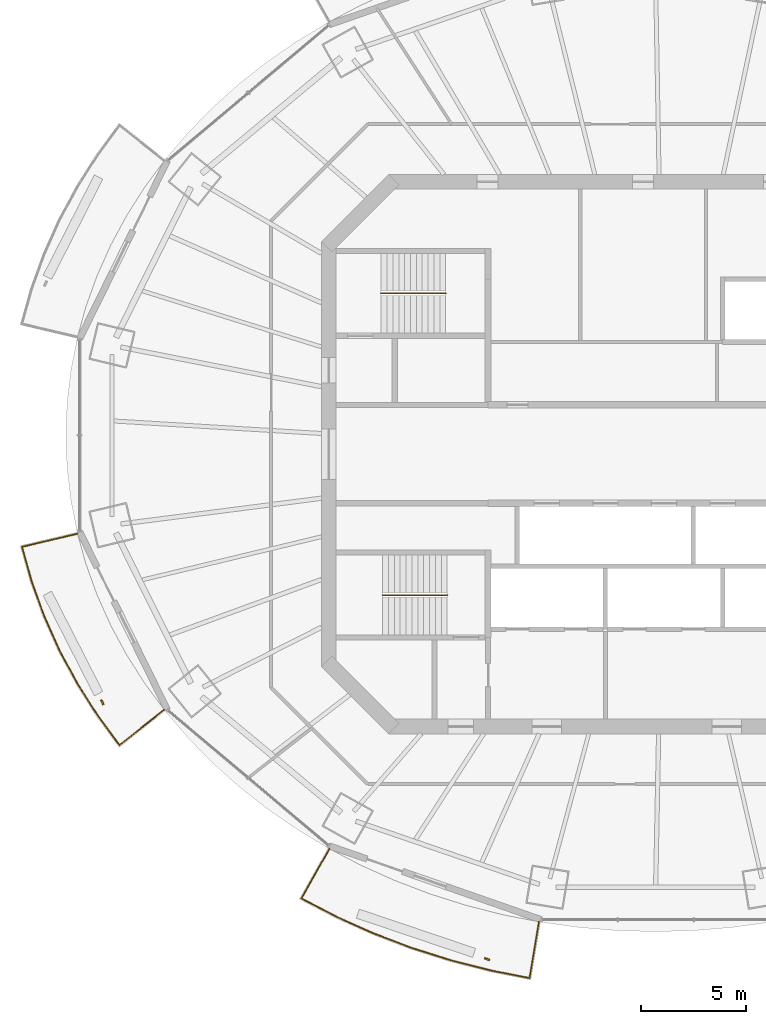
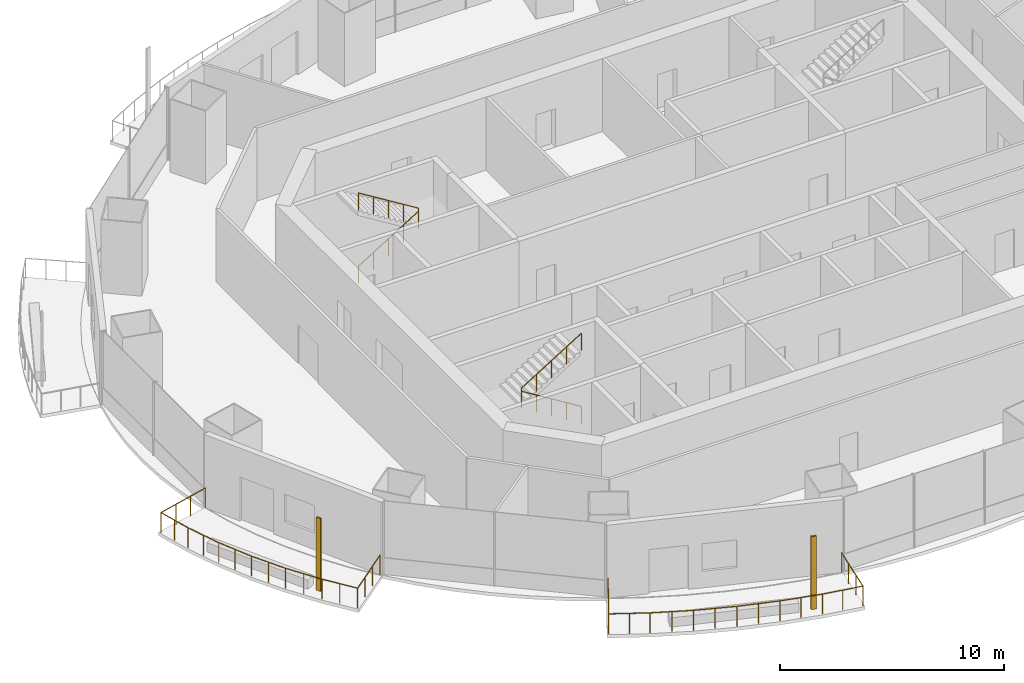
# One storey, part 12 of 16: 4 railings, 2 shading devices.
"""IFC4 building model written with IfcOpenShell, lengths in metres."""

import ifcopenshell
import ifcopenshell.guid

model = None  # the IFC model being written
_history = None  # IfcOwnerHistory: only IFC2X3 demands one
_inside = {}  # id of a spatial element -> (the spatial element, [elements in it])
_under = {}  # id of a project, library or spatial element -> (it, [spatial elements below it])
_declared = {}  # id of a project -> (the project, [libraries it declares])
_typed = {}  # id of a type object -> (the type object, [elements of that type])
_made_of = {}  # id of a material, layer set ... -> (it, [elements and type objects made of it])


def new_model(schema):
    """Start an empty IFC model of exactly this schema.

    Asked for "IFC4X3", IfcOpenShell would pick the latest addendum, in which some entities
    have other attributes; the version numbers below select the first issue.
    IFC2X3 requires an IfcOwnerHistory on every rooted entity: one is made here for all.
    """
    global model, _history
    if schema == "IFC4X3":
        model = ifcopenshell.file(schema_version=(4, 3, 0, 0))
    else:
        model = ifcopenshell.file(schema=schema)
    _inside.clear()
    _under.clear()
    _declared.clear()
    _typed.clear()
    _made_of.clear()
    _history = None
    if model.schema == "IFC2X3":
        org = make("IfcOrganization", Name="unknown")
        user = make(
            "IfcPersonAndOrganization",
            ThePerson=make("IfcPerson", FamilyName="unknown"),
            TheOrganization=org,
        )
        app = make(
            "IfcApplication",
            ApplicationDeveloper=org,
            Version="unknown",
            ApplicationFullName="unknown",
            ApplicationIdentifier="unknown",
        )
        _history = make(
            "IfcOwnerHistory",
            OwningUser=user,
            OwningApplication=app,
            ChangeAction="ADDED",
            CreationDate=0,
        )
    return model


def make(cls, **values):
    """One entity of the class cls with the attributes given. An attribute that is None is left unset."""
    return model.create_entity(
        cls, **{name: value for name, value in values.items() if value is not None}
    )


def rooted(cls, **values):
    """An entity with a GlobalId (a new one), such as an element, a storey or a relation."""
    return make(cls, GlobalId=ifcopenshell.guid.new(), OwnerHistory=_history, **values)


def si_unit(unit_type, name, prefix=None):
    """IfcSIUnit, for example si_unit("LENGTHUNIT", "METRE", prefix="MILLI")."""
    return make("IfcSIUnit", UnitType=unit_type, Prefix=prefix, Name=name)


def assignment(units):
    """IfcUnitAssignment: the units of a project."""
    return None if units is None else make("IfcUnitAssignment", Units=units)


def point(xyz):
    """IfcCartesianPoint."""
    return None if xyz is None else make("IfcCartesianPoint", Coordinates=xyz)


def direction(xyz):
    """IfcDirection."""
    return None if xyz is None else make("IfcDirection", DirectionRatios=xyz)


def frame(location, z_axis=None, x_axis=None):
    """IfcAxis2Placement3D, a coordinate frame: its origin and axes. An axis left out is left unset."""
    return make(
        "IfcAxis2Placement3D",
        Location=point(location),
        Axis=direction(z_axis),
        RefDirection=direction(x_axis),
    )


def frame_2d(location, x_axis=None):
    """IfcAxis2Placement2D, a coordinate frame in the plane: its origin and x axis."""
    return make(
        "IfcAxis2Placement2D", Location=point(location), RefDirection=direction(x_axis)
    )


def origin():
    """The frame at (0, 0, 0) with its axes left unset."""
    return frame((0.0, 0.0, 0.0))


def origin_2d():
    """The frame at (0, 0) in the plane with its x axis left unset."""
    return frame_2d((0.0, 0.0))


def place(relative_to, where):
    """IfcLocalPlacement: puts the frame where relative to a parent placement (None: the world)."""
    return make(
        "IfcLocalPlacement", PlacementRelTo=relative_to, RelativePlacement=where
    )


def context(
    kind, dimensions, precision=None, world=None, true_north=None, identifier=None
):
    """IfcGeometricRepresentationContext, for example the 3D "Model" context."""
    return make(
        "IfcGeometricRepresentationContext",
        ContextIdentifier=identifier,
        ContextType=kind,
        CoordinateSpaceDimension=dimensions,
        Precision=precision,
        WorldCoordinateSystem=world,
        TrueNorth=true_north,
    )


def subcontext(parent, identifier, kind, view, scale=None):
    """IfcGeometricRepresentationSubContext, for example "Body" below "Model"."""
    return make(
        "IfcGeometricRepresentationSubContext",
        ContextIdentifier=identifier,
        ContextType=kind,
        ParentContext=parent,
        TargetScale=scale,
        TargetView=view,
    )


def project(units=None, contexts=None):
    """IfcProject with its units and contexts."""
    return rooted(
        "IfcProject",
        Name="project",
        RepresentationContexts=contexts,
        UnitsInContext=assignment(units),
    )


def spatial(cls, under=None, at=None, **own):
    """A site, building, storey or space (cls), placed at a placement, below another one or the project."""
    s = rooted(cls, ObjectPlacement=at, **own)
    if under is not None:
        _under.setdefault(under.id(), (under, []))[1].append(s)
    return s


def profile(cls, at=None, kind="AREA", **sizes):
    """A parametric profile (cls). Its sizes go by their IFC names, for example OverallWidth=200.0."""
    return make(cls, ProfileType=kind, Position=at, **sizes)


def rectangle(**sizes):
    """IfcRectangleProfileDef."""
    return profile("IfcRectangleProfileDef", **sizes)


def circle(**sizes):
    """IfcCircleProfileDef."""
    return profile("IfcCircleProfileDef", **sizes)


def extrude(swept, where, along, depth):
    """IfcExtrudedAreaSolid: the profile swept, set in the frame where, extruded along a direction by depth."""
    return make(
        "IfcExtrudedAreaSolid",
        SweptArea=swept,
        Position=where,
        ExtrudedDirection=direction(along),
        Depth=depth,
    )


def shape(context_of_items, identifier, shape_type, items):
    """IfcShapeRepresentation: the items that make up one representation, for example the "Body"."""
    return make(
        "IfcShapeRepresentation",
        ContextOfItems=context_of_items,
        RepresentationIdentifier=identifier,
        RepresentationType=shape_type,
        Items=items,
    )


def material(Name=None, Category=None):
    """IfcMaterial."""
    return make("IfcMaterial", Name=Name, Category=Category)


def material_profile(
    of_material, cross_section, Name=None, Category=None, Priority=None
):
    """IfcMaterialProfile: a cross section and its material."""
    return make(
        "IfcMaterialProfile",
        Name=Name,
        Material=of_material,
        Profile=cross_section,
        Priority=Priority,
        Category=Category,
    )


def profile_set(profiles, Name=None, composite=None):
    """IfcMaterialProfileSet."""
    return make(
        "IfcMaterialProfileSet",
        Name=Name,
        MaterialProfiles=profiles,
        CompositeProfile=composite,
    )


def made_of(thing, what):
    """Note that an element or type object is made of a material, layer set ...; save() writes the relation."""
    if what is not None:
        _made_of.setdefault(what.id(), (what, []))[1].append(thing)
    return thing


def type_object(cls, material=None, **own):
    """A type object (cls), such as IfcWallType, which elements share."""
    return made_of(rooted(cls, **own), material)


def element(
    cls,
    number,
    at=None,
    inside=None,
    cuts=None,
    type_object=None,
    material=None,
    context=None,
    identifier="Body",
    shape_type=None,
    held_by="IfcProductDefinitionShape",
    body=None,
    shapes=None,
    **own,
):
    """One element of the class cls, such as IfcWall. Its Tag is "e" and its number.

    at: its placement. inside: the storey or other place that contains it. cuts: it is an
    opening in that element (IfcRelVoidsElement). A single representation is given by context,
    identifier, shape_type and body (its items); several are given by shapes. held_by: the class
    of the entity that holds the representations. save() writes the other relations.
    """
    e = rooted(cls, Tag="e%d" % number, ObjectPlacement=at, **own)
    if body is not None:
        shapes = [shape(context, identifier, shape_type, body)]
    if shapes is not None:
        e.Representation = make(held_by, Representations=shapes)
    if inside is not None:
        _inside.setdefault(inside.id(), (inside, []))[1].append(e)
    if cuts is not None:
        rooted(
            "IfcRelVoidsElement", RelatingBuildingElement=cuts, RelatedOpeningElement=e
        )
    if type_object is not None:
        _typed.setdefault(type_object.id(), (type_object, []))[1].append(e)
    return made_of(e, material)


def aggregate(whole, parts):
    """IfcRelAggregates: a whole, such as a stair, and the parts it consists of."""
    return rooted("IfcRelAggregates", RelatingObject=whole, RelatedObjects=parts)


def save(model, path):
    """Write the relations noted so far, then the file.

    IfcRelAggregates (storeys below a building ...), IfcRelContainedInSpatialStructure (elements
    in a storey), IfcRelDefinesByType, IfcRelAssociatesMaterial and IfcRelDeclares: one each for
    every whole, place, type object, material and project.
    """
    for whole, parts in _under.values():
        aggregate(whole, parts)
    for where, things in _inside.values():
        rooted(
            "IfcRelContainedInSpatialStructure",
            RelatedElements=things,
            RelatingStructure=where,
        )
    for kind, things in _typed.values():
        rooted("IfcRelDefinesByType", RelatedObjects=things, RelatingType=kind)
    for what, things in _made_of.values():
        rooted("IfcRelAssociatesMaterial", RelatedObjects=things, RelatingMaterial=what)
    for by, libraries in _declared.values():
        rooted("IfcRelDeclares", RelatingContext=by, RelatedDefinitions=libraries)
    model.write(path)


model = new_model("IFC4")

# Units and contexts
model_context = context("Model", 3, precision=1e-05, world=origin(), true_north=direction((0.0, 1.0)))
body_context = subcontext(model_context, "Body", "Model", "MODEL_VIEW")
ifc_project = project(units=[si_unit("LENGTHUNIT", "METRE"), si_unit("AREAUNIT", "SQUARE_METRE"), si_unit("VOLUMEUNIT", "CUBIC_METRE"), si_unit("PLANEANGLEUNIT", "RADIAN"), si_unit("MASSUNIT", "GRAM", prefix="KILO")], contexts=[model_context])

# Site, building, storey
site_placement = place(None, origin())
site = spatial("IfcSite", under=ifc_project, at=site_placement, CompositionType="ELEMENT")
building_placement = place(site_placement, origin())
building = spatial("IfcBuilding", under=site, at=building_placement, Name="Marenthal Gate Tower", CompositionType="ELEMENT")
storey_placement = place(building_placement, frame((0.0, 0.0, 313.550048828125)))
storey = spatial("IfcBuildingStorey", under=building, at=storey_placement, Name="L70", CompositionType="ELEMENT", Elevation=313.550048828125)

# Railings
ifc_material_1 = material(Name="Stainless steel", Category="steel")
railing_type_1 = type_object("IfcRailingType", Name="Balcony guard 1100", PredefinedType="GUARDRAIL", material=ifc_material_1)
railing_1_placement = place(storey_placement, frame((-23.85888671875, -12.199951171875, 0.0)))
element("IfcRailing", 1, at=railing_1_placement, inside=storey, type_object=railing_type_1, Name="Balcony guard L70 bay 9", PredefinedType="GUARDRAIL", context=body_context, shape_type="SweptSolid", body=[
    extrude(circle(Radius=0.02392578125, at=origin_2d()), frame((0.0, 0.0, 1.076171875), z_axis=(-0.783369120747, -0.621382494221, -0.014717898477), x_axis=(0.621449806018, -0.783453979886, 0.0)), (0.0, 0.0, 1.0), 2.720458984375),
    extrude(circle(Radius=0.02392578125, at=origin_2d()), frame((-2.131103515625, -1.6904296875, 1.0361328125), z_axis=(-0.592865267426, 0.80530166688, 0.0), x_axis=(-0.80530166688, -0.592865267426, 0.0)), (0.0, 0.0, 1.0), 1.746826171875),
    extrude(circle(Radius=0.02392578125, at=origin_2d()), frame((-3.166748046875, -0.28369140625, 1.0361328125), z_axis=(-0.536204581752, 0.844088056134, 0.0), x_axis=(-0.844088056134, -0.536204581752, 0.0)), (0.0, 0.0, 1.0), 1.8134765625),
    extrude(circle(Radius=0.02392578125, at=origin_2d()), frame((-4.13916015625, 1.2470703125, 1.0361328125), z_axis=(-0.473954337588, 0.880549422736, 0.0), x_axis=(-0.880549422736, -0.473954337588, 0.0)), (0.0, 0.0, 1.0), 1.80126953125),
    extrude(circle(Radius=0.02392578125, at=origin_2d()), frame((-4.992919921875, 2.833251953125, 1.0361328125), z_axis=(-0.408237493427, 0.91287575768, 0.0), x_axis=(-0.91287575768, -0.408237493427, 0.0)), (0.0, 0.0, 1.0), 1.79052734375),
    extrude(circle(Radius=0.02392578125, at=origin_2d()), frame((-5.723876953125, 4.4677734375, 1.0361328125), z_axis=(-0.339078586837, 0.940758051759, 0.0), x_axis=(-0.940758051759, -0.339078586837, 0.0)), (0.0, 0.0, 1.0), 1.78125),
    extrude(circle(Radius=0.02392578125, at=origin_2d()), frame((-6.327880859375, 6.1435546875, 1.0361328125), z_axis=(-0.268699441424, 0.963224070598, 0.0), x_axis=(-0.963224070598, -0.268699441424, 0.0)), (0.0, 0.0, 1.0), 1.693603515625),
    extrude(circle(Radius=0.02392578125, at=origin_2d()), frame((-6.782958984375, 7.77490234375, 1.0361328125), z_axis=(0.973137241572, 0.229754803876, 0.014718667123), x_axis=(-0.229779694864, 0.97324266852, 0.0)), (0.0, 0.0, 1.0), 2.72021484375),
    extrude(circle(Radius=0.02099609375, at=origin_2d()), origin(), (0.0, 0.0, 1.0), 1.052001953125),
    extrude(circle(Radius=0.02099609375, at=origin_2d()), frame((-0.71044921875, -0.5634765625, -0.013427734375)), (0.0, 0.0, 1.0), 1.052001953125),
    extrude(circle(Radius=0.02099609375, at=origin_2d()), frame((-1.420654296875, -1.126953125, -0.026611328125)), (0.0, 0.0, 1.0), 1.052001953125),
    extrude(circle(Radius=0.02099609375, at=origin_2d()), frame((-2.131103515625, -1.6904296875, -0.0400390625)), (0.0, 0.0, 1.0), 1.052001953125),
    extrude(circle(Radius=0.02099609375, at=origin_2d()), frame((-2.64892578125, -0.987060546875, -0.0400390625)), (0.0, 0.0, 1.0), 1.052001953125),
    extrude(circle(Radius=0.02099609375, at=origin_2d()), frame((-3.166748046875, -0.28369140625, -0.0400390625)), (0.0, 0.0, 1.0), 1.052001953125),
    extrude(circle(Radius=0.02099609375, at=origin_2d()), frame((-3.65283203125, 0.481689453125, -0.0400390625)), (0.0, 0.0, 1.0), 1.052001953125),
    extrude(circle(Radius=0.02099609375, at=origin_2d()), frame((-4.13916015625, 1.2470703125, -0.0400390625)), (0.0, 0.0, 1.0), 1.052001953125),
    extrude(circle(Radius=0.02099609375, at=origin_2d()), frame((-4.56591796875, 2.0400390625, -0.0400390625)), (0.0, 0.0, 1.0), 1.052001953125),
    extrude(circle(Radius=0.02099609375, at=origin_2d()), frame((-4.992919921875, 2.833251953125, -0.0400390625)), (0.0, 0.0, 1.0), 1.052001953125),
    extrude(circle(Radius=0.02099609375, at=origin_2d()), frame((-5.3583984375, 3.650390625, -0.0400390625)), (0.0, 0.0, 1.0), 1.052001953125),
    extrude(circle(Radius=0.02099609375, at=origin_2d()), frame((-5.723876953125, 4.4677734375, -0.0400390625)), (0.0, 0.0, 1.0), 1.052001953125),
    extrude(circle(Radius=0.02099609375, at=origin_2d()), frame((-6.02587890625, 5.3056640625, -0.0400390625)), (0.0, 0.0, 1.0), 1.052001953125),
    extrude(circle(Radius=0.02099609375, at=origin_2d()), frame((-6.327880859375, 6.1435546875, -0.0400390625)), (0.0, 0.0, 1.0), 1.052001953125),
    extrude(circle(Radius=0.02099609375, at=origin_2d()), frame((-6.555419921875, 6.959228515625, -0.0400390625)), (0.0, 0.0, 1.0), 1.052001953125),
    extrude(circle(Radius=0.02099609375, at=origin_2d()), frame((-6.782958984375, 7.77490234375, -0.0400390625)), (0.0, 0.0, 1.0), 1.052001953125),
    extrude(circle(Radius=0.02099609375, at=origin_2d()), frame((-5.900634765625, 7.983154296875, -0.026611328125)), (0.0, 0.0, 1.0), 1.052001953125),
    extrude(circle(Radius=0.02099609375, at=origin_2d()), frame((-5.01806640625, 8.191650390625, -0.013427734375)), (0.0, 0.0, 1.0), 1.052001953125),
    extrude(circle(Radius=0.02099609375, at=origin_2d()), frame((-4.1357421875, 8.39990234375, 0.0)), (0.0, 0.0, 1.0), 1.052001953125),
])
railing_2_placement = place(storey_placement, frame((-5.971435546875, -22.323486328125, 0.0)))
element("IfcRailing", 2, at=railing_2_placement, inside=storey, type_object=railing_type_1, Name="Balcony guard L70 bay 11", PredefinedType="GUARDRAIL", context=body_context, shape_type="SweptSolid", body=[
    extrude(circle(Radius=0.02392578125, at=origin_2d()), frame((0.0, 0.0, 1.076171875), z_axis=(-0.165225230724, -0.986146026723, -0.014718597414), x_axis=(0.986252861995, -0.165243130591, 0.0)), (0.0, 0.0, 1.0), 2.72021484375),
    extrude(circle(Radius=0.02392578125, at=origin_2d()), frame((-0.449462890625, -2.6826171875, 1.0361328125), z_axis=(-0.981061826101, 0.193694846002, 0.0), x_axis=(-0.193694846002, -0.981061826101, 0.0)), (0.0, 0.0, 1.0), 1.900634765625),
    extrude(circle(Radius=0.02392578125, at=origin_2d()), frame((-2.314208984375, -2.314453125, 1.0361328125), z_axis=(-0.968929698625, 0.247336287518, 0.0), x_axis=(-0.247336287518, -0.968929698625, 0.0)), (0.0, 0.0, 1.0), 1.97314453125),
    extrude(circle(Radius=0.02392578125, at=origin_2d()), frame((-4.22607421875, -1.826416015625, 1.0361328125), z_axis=(-0.953336263061, 0.301910532331, 0.0), x_axis=(-0.301910532331, -0.953336263061, 0.0)), (0.0, 0.0, 1.0), 1.964111328125),
    extrude(circle(Radius=0.02392578125, at=origin_2d()), frame((-6.0986328125, -1.2333984375, 1.0361328125), z_axis=(-0.93433720277, 0.356390223659, 0.0), x_axis=(-0.356390223659, -0.93433720277, 0.0)), (0.0, 0.0, 1.0), 1.95361328125),
    extrude(circle(Radius=0.02392578125, at=origin_2d()), frame((-7.924072265625, -0.537109375, 1.0361328125), z_axis=(-0.911982656783, 0.4102287578, 0.0), x_axis=(-0.4102287578, -0.911982656783, 0.0)), (0.0, 0.0, 1.0), 1.94189453125),
    extrude(circle(Radius=0.02392578125, at=origin_2d()), frame((-9.695068359375, 0.259521484375, 1.0361328125), z_axis=(-0.88661074156, 0.462516370467, 0.0), x_axis=(-0.462516370467, -0.88661074156, 0.0)), (0.0, 0.0, 1.0), 1.84912109375),
    extrude(circle(Radius=0.02392578125, at=origin_2d()), frame((-11.33447265625, 1.11474609375, 1.0361328125), z_axis=(0.490459508418, 0.871339682934, 0.014718272531), x_axis=(-0.871434076359, 0.490512640571, 0.0)), (0.0, 0.0, 1.0), 2.720458984375),
    extrude(circle(Radius=0.02099609375, at=origin_2d()), origin(), (0.0, 0.0, 1.0), 1.052001953125),
    extrude(circle(Radius=0.02099609375, at=origin_2d()), frame((-0.14990234375, -0.894287109375, -0.013427734375)), (0.0, 0.0, 1.0), 1.052001953125),
    extrude(circle(Radius=0.02099609375, at=origin_2d()), frame((-0.299560546875, -1.788330078125, -0.026611328125)), (0.0, 0.0, 1.0), 1.052001953125),
    extrude(circle(Radius=0.02099609375, at=origin_2d()), frame((-0.449462890625, -2.6826171875, -0.0400390625)), (0.0, 0.0, 1.0), 1.052001953125),
    extrude(circle(Radius=0.02099609375, at=origin_2d()), frame((-1.3818359375, -2.49853515625, -0.0400390625)), (0.0, 0.0, 1.0), 1.052001953125),
    extrude(circle(Radius=0.02099609375, at=origin_2d()), frame((-2.314208984375, -2.314453125, -0.0400390625)), (0.0, 0.0, 1.0), 1.052001953125),
    extrude(circle(Radius=0.02099609375, at=origin_2d()), frame((-3.27001953125, -2.0703125, -0.0400390625)), (0.0, 0.0, 1.0), 1.052001953125),
    extrude(circle(Radius=0.02099609375, at=origin_2d()), frame((-4.22607421875, -1.826416015625, -0.0400390625)), (0.0, 0.0, 1.0), 1.052001953125),
    extrude(circle(Radius=0.02099609375, at=origin_2d()), frame((-5.162353515625, -1.52978515625, -0.0400390625)), (0.0, 0.0, 1.0), 1.052001953125),
    extrude(circle(Radius=0.02099609375, at=origin_2d()), frame((-6.0986328125, -1.2333984375, -0.0400390625)), (0.0, 0.0, 1.0), 1.052001953125),
    extrude(circle(Radius=0.02099609375, at=origin_2d()), frame((-7.01123046875, -0.88525390625, -0.0400390625)), (0.0, 0.0, 1.0), 1.052001953125),
    extrude(circle(Radius=0.02099609375, at=origin_2d()), frame((-7.924072265625, -0.537109375, -0.0400390625)), (0.0, 0.0, 1.0), 1.052001953125),
    extrude(circle(Radius=0.02099609375, at=origin_2d()), frame((-8.8095703125, -0.138671875, -0.0400390625)), (0.0, 0.0, 1.0), 1.052001953125),
    extrude(circle(Radius=0.02099609375, at=origin_2d()), frame((-9.695068359375, 0.259521484375, -0.0400390625)), (0.0, 0.0, 1.0), 1.052001953125),
    extrude(circle(Radius=0.02099609375, at=origin_2d()), frame((-10.5146484375, 0.68701171875, -0.0400390625)), (0.0, 0.0, 1.0), 1.052001953125),
    extrude(circle(Radius=0.02099609375, at=origin_2d()), frame((-11.33447265625, 1.11474609375, -0.0400390625)), (0.0, 0.0, 1.0), 1.052001953125),
    extrude(circle(Radius=0.02099609375, at=origin_2d()), frame((-10.8896484375, 1.90478515625, -0.026611328125)), (0.0, 0.0, 1.0), 1.052001953125),
    extrude(circle(Radius=0.02099609375, at=origin_2d()), frame((-10.445068359375, 2.695068359375, -0.013427734375)), (0.0, 0.0, 1.0), 1.052001953125),
    extrude(circle(Radius=0.02099609375, at=origin_2d()), frame((-10.000244140625, 3.485107421875, 0.0)), (0.0, 0.0, 1.0), 1.052001953125),
])
ifc_material_2 = material(Name="Stainless steel", Category="steel")
railing_type_2 = type_object("IfcRailingType", Name="Stair handrail", PredefinedType="HANDRAIL", material=ifc_material_2)
railing_3_placement = place(storey_placement, frame((-13.5, 7.675048828125, 0.1728515625)))
element("IfcRailing", 3, at=railing_3_placement, inside=storey, type_object=railing_type_2, Name="Handrail ST1", PredefinedType="HANDRAIL", context=body_context, shape_type="SweptSolid", body=[
    extrude(circle(Radius=0.0224609375, at=origin_2d()), frame((0.0, 0.0, 0.927490234375), z_axis=(0.850835241893, 0.0, 0.525432575268), x_axis=(0.0, 1.0, 0.0)), (0.0, 0.0, 1.0), 3.6201171875),
    extrude(circle(Radius=0.0224609375, at=origin_2d()), frame((3.080078125, 0.0, 2.82958984375), z_axis=(0.0, 0.0, 1.0), x_axis=(1.0, 0.0, 0.0)), (0.0, 0.0, 1.0), 0.1728515625),
    extrude(circle(Radius=0.0224609375, at=origin_2d()), frame((3.080078125, 0.0, 3.00244140625), z_axis=(-0.850835241893, 0.0, 0.525432575268), x_axis=(0.0, -1.0, 0.0)), (0.0, 0.0, 1.0), 3.6201171875),
    extrude(circle(Radius=0.02001953125, at=origin_2d()), origin(), (0.0, 0.0, 1.0), 0.905029296875),
    extrude(circle(Radius=0.02001953125, at=origin_2d()), frame((0.77001953125, 0.0, 0.4755859375)), (0.0, 0.0, 1.0), 0.905029296875),
    extrude(circle(Radius=0.02001953125, at=origin_2d()), frame((1.5400390625, 0.0, 0.951171875)), (0.0, 0.0, 1.0), 0.905029296875),
    extrude(circle(Radius=0.02001953125, at=origin_2d()), frame((2.31005859375, 0.0, 1.426513671875)), (0.0, 0.0, 1.0), 0.905029296875),
    extrude(circle(Radius=0.02001953125, at=origin_2d()), frame((3.080078125, 0.0, 1.902099609375)), (0.0, 0.0, 1.0), 0.905029296875),
    extrude(circle(Radius=0.02001953125, at=origin_2d()), frame((3.080078125, 0.0, 2.074951171875)), (0.0, 0.0, 1.0), 0.905029296875),
    extrude(circle(Radius=0.02001953125, at=origin_2d()), frame((2.31005859375, 0.0, 2.550537109375)), (0.0, 0.0, 1.0), 0.905029296875),
    extrude(circle(Radius=0.02001953125, at=origin_2d()), frame((1.5400390625, 0.0, 3.02587890625)), (0.0, 0.0, 1.0), 0.905029296875),
    extrude(circle(Radius=0.02001953125, at=origin_2d()), frame((0.77001953125, 0.0, 3.50146484375)), (0.0, 0.0, 1.0), 0.905029296875),
    extrude(circle(Radius=0.02001953125, at=origin_2d()), frame((0.0, 0.0, 3.97705078125)), (0.0, 0.0, 1.0), 0.905029296875),
])
railing_4_placement = place(storey_placement, frame((-10.35009765625, -6.72509765625, 0.1728515625)))
element("IfcRailing", 4, at=railing_4_placement, inside=storey, type_object=railing_type_2, Name="Handrail ST2", PredefinedType="HANDRAIL", context=body_context, shape_type="SweptSolid", body=[
    extrude(circle(Radius=0.0224609375, at=origin_2d()), frame((0.0, 0.0, 0.927490234375), z_axis=(-0.850816621229, 0.0, 0.525462726595), x_axis=(0.0, -1.0, 0.0)), (0.0, 0.0, 1.0), 3.619873046875),
    extrude(circle(Radius=0.0224609375, at=origin_2d()), frame((-3.079833984375, 0.0, 2.82958984375), z_axis=(0.0, 0.0, 1.0), x_axis=(1.0, 0.0, 0.0)), (0.0, 0.0, 1.0), 0.1728515625),
    extrude(circle(Radius=0.0224609375, at=origin_2d()), frame((-3.079833984375, 0.0, 3.00244140625), z_axis=(0.850816621229, 0.0, 0.525462726595), x_axis=(0.0, 1.0, 0.0)), (0.0, 0.0, 1.0), 3.619873046875),
    extrude(circle(Radius=0.02001953125, at=origin_2d()), origin(), (0.0, 0.0, 1.0), 0.905029296875),
    extrude(circle(Radius=0.02001953125, at=origin_2d()), frame((-0.77001953125, 0.0, 0.4755859375)), (0.0, 0.0, 1.0), 0.905029296875),
    extrude(circle(Radius=0.02001953125, at=origin_2d()), frame((-1.5400390625, 0.0, 0.951171875)), (0.0, 0.0, 1.0), 0.905029296875),
    extrude(circle(Radius=0.02001953125, at=origin_2d()), frame((-2.309814453125, 0.0, 1.426513671875)), (0.0, 0.0, 1.0), 0.905029296875),
    extrude(circle(Radius=0.02001953125, at=origin_2d()), frame((-3.079833984375, 0.0, 1.902099609375)), (0.0, 0.0, 1.0), 0.905029296875),
    extrude(circle(Radius=0.02001953125, at=origin_2d()), frame((-3.079833984375, 0.0, 2.074951171875)), (0.0, 0.0, 1.0), 0.905029296875),
    extrude(circle(Radius=0.02001953125, at=origin_2d()), frame((-2.309814453125, 0.0, 2.550537109375)), (0.0, 0.0, 1.0), 0.905029296875),
    extrude(circle(Radius=0.02001953125, at=origin_2d()), frame((-1.5400390625, 0.0, 3.02587890625)), (0.0, 0.0, 1.0), 0.905029296875),
    extrude(circle(Radius=0.02001953125, at=origin_2d()), frame((-0.77001953125, 0.0, 3.50146484375)), (0.0, 0.0, 1.0), 0.905029296875),
    extrude(circle(Radius=0.02001953125, at=origin_2d()), frame((0.0, 0.0, 3.97705078125)), (0.0, 0.0, 1.0), 0.905029296875),
])

# Shading devices
ifc_material_3 = material(Name="Terracotta", Category="masonry")
ifc_material_profile = material_profile(ifc_material_3, rectangle(XDim=0.25, YDim=0.080078125, at=origin_2d()), Name="Terracotta baguette 250x80")
ifc_profile_set = profile_set([ifc_material_profile], Name="Terracotta")
shading_device_type = type_object("IfcShadingDeviceType", Name="Terracotta BAGUETTE SCREEN 250x80", PredefinedType="USERDEFINED", material=ifc_profile_set)
for number, where, z_axis, x_axis, name in (
    (5, (-26.809814453125, -11.8447265625, -0.0400390625), (0.0, 0.0, 1.0), (0.441517596382, -0.897252591016, 0.0), "Terracotta BAGUETTE L70 bay 9R"),
    (6, (-8.440185546875, -24.097900390625, -0.0400390625), (0.0, 0.0, 1.0), (0.944249095616, -0.329231902203, 0.0), "Terracotta BAGUETTE L70 bay 11R"),
):
    element("IfcShadingDevice", number, at=place(storey_placement, frame(where, z_axis=z_axis, x_axis=x_axis)), inside=storey, type_object=shading_device_type, Name=name, ObjectType="BAGUETTE SCREEN", PredefinedType="USERDEFINED", context=body_context, shape_type="SweptSolid", body=[
        extrude(rectangle(XDim=0.25, YDim=0.080078125, at=origin_2d()), origin(), (0.0, 0.0, 1.0), 3.969970703125),
    ])

save(model, "model.ifc")
